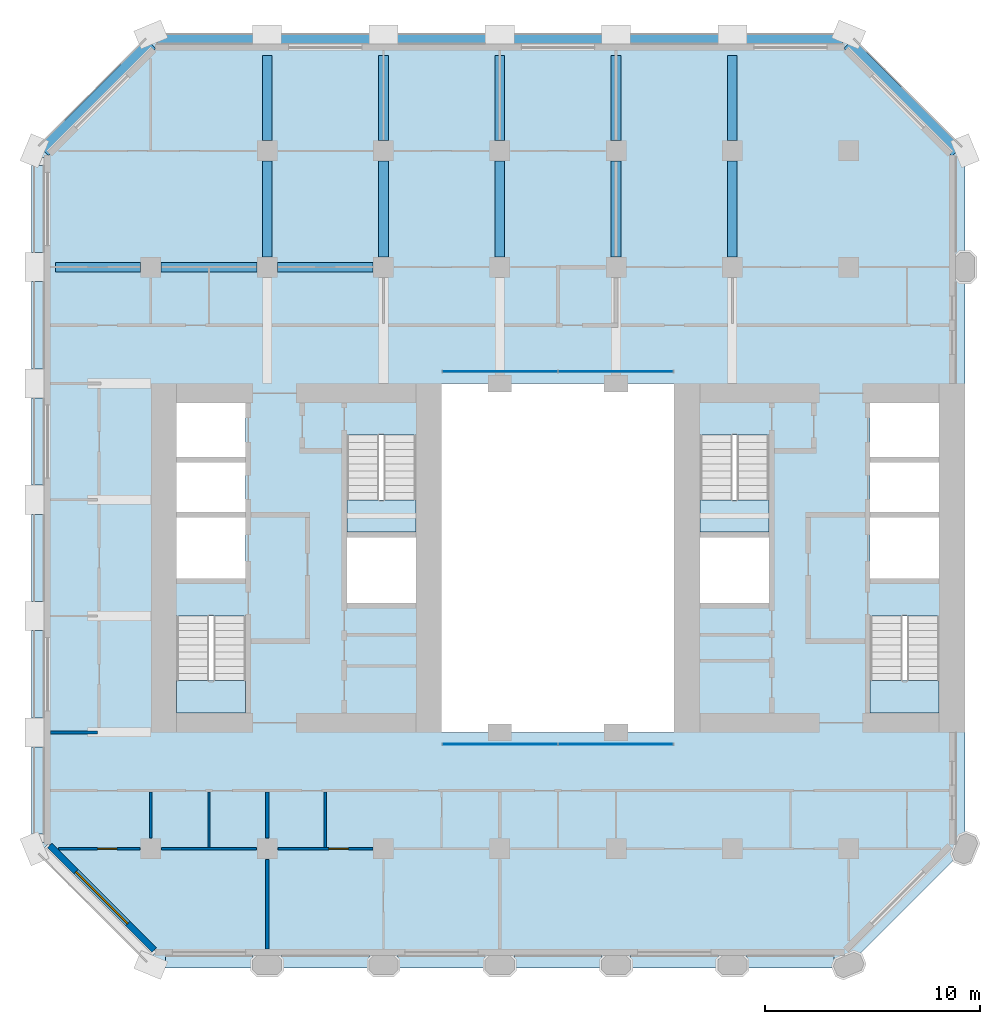
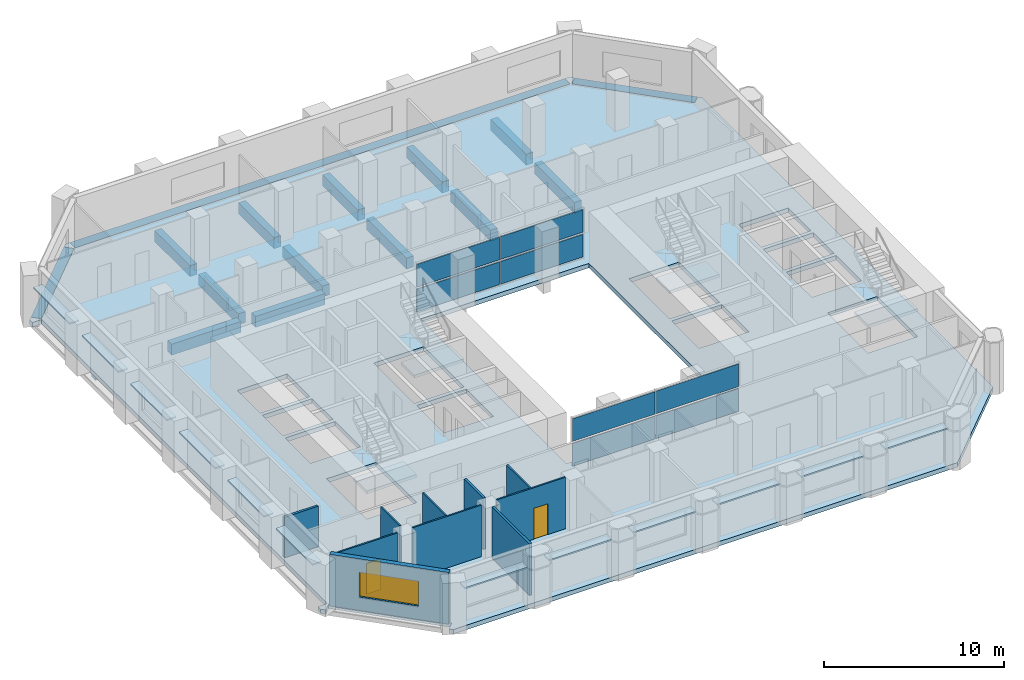
# One storey, part 5 of 13: 20 plates, 16 beams, 10 walls, 5 slabs, 2 doors, 1 window, 3 openings, 6 elements without a shape of their own.
"""IFC4 building model written with IfcOpenShell, lengths in metres."""

from ifc_helpers import new_model, si_unit, direction, frame, frame_2d, origin, origin_2d, place, context, subcontext, project, spatial, polyline, rectangle, outline, extrude, material, layer, layer_set, material_profile, profile_set, type_object, element, fill, aggregate, save


model = new_model("IFC4")

# Units and contexts
model_context = context("Model", 3, precision=1e-05, world=origin(), true_north=direction((0.0, 1.0)))
body_context = subcontext(model_context, "Body", "Model", "MODEL_VIEW")
ifc_project = project(units=[si_unit("LENGTHUNIT", "METRE"), si_unit("AREAUNIT", "SQUARE_METRE"), si_unit("VOLUMEUNIT", "CUBIC_METRE"), si_unit("PLANEANGLEUNIT", "RADIAN"), si_unit("MASSUNIT", "GRAM", prefix="KILO")], contexts=[model_context])

# Site, building, storey
site_placement = place(None, origin())
site = spatial("IfcSite", under=ifc_project, at=site_placement, CompositionType="ELEMENT")
building_placement = place(site_placement, origin())
building = spatial("IfcBuilding", under=site, at=building_placement, Name="Tabaq Tower and Sports Hall", CompositionType="ELEMENT")
storey_placement = place(building_placement, frame((0.0, 0.0, 110.60009765625)))
storey = spatial("IfcBuildingStorey", under=building, at=storey_placement, Name="L26", CompositionType="ELEMENT", Elevation=110.60009765625)

# Beams
ifc_material_1 = material(Name="Concrete C40/50", Category="concrete")
ifc_material_profile_1 = material_profile(ifc_material_1, rectangle(XDim=0.449951171875, YDim=0.75, at=origin_2d()), Name="CB 450x750")
ifc_profile_set_1 = profile_set([ifc_material_profile_1], Name="Concrete C40/50")
beam_type_1 = type_object("IfcBeamType", Name="PT CANTILEVER BEAM CB 450x750 C40/50", PredefinedType="BEAM", material=ifc_profile_set_1)
beam_1_placement = place(storey_placement, frame((0.97509765625, 37.800048828125, -0.675048828125), z_axis=(1.0, 0.0, 0.0), x_axis=(0.0, 1.0, 0.0)))
element("IfcBeam", 1, at=beam_1_placement, inside=storey, type_object=beam_type_1, Name="Cantilever Beam L26 W7 span 1", PredefinedType="BEAM", context=body_context, shape_type="SweptSolid", body=[
    extrude(rectangle(XDim=0.449951171875, YDim=0.75, at=origin_2d()), origin(), (0.0, 0.0, 1.0), 3.949951171875),
])
beam_2_placement = place(storey_placement, frame((5.875, 37.800048828125, -0.675048828125), z_axis=(1.0, 0.0, 0.0), x_axis=(0.0, 1.0, 0.0)))
element("IfcBeam", 2, at=beam_2_placement, inside=storey, type_object=beam_type_1, Name="Cantilever Beam L26 W7 span 2", PredefinedType="BEAM", context=body_context, shape_type="SweptSolid", body=[
    extrude(rectangle(XDim=0.449951171875, YDim=0.75, at=origin_2d()), origin(), (0.0, 0.0, 1.0), 4.449951171875),
])
beam_3_placement = place(storey_placement, frame((11.27490234375, 37.800048828125, -0.675048828125), z_axis=(1.0, 0.0, 0.0), x_axis=(0.0, 1.0, 0.0)))
element("IfcBeam", 3, at=beam_3_placement, inside=storey, type_object=beam_type_1, Name="Cantilever Beam L26 W7 span 3", PredefinedType="BEAM", context=body_context, shape_type="SweptSolid", body=[
    extrude(rectangle(XDim=0.449951171875, YDim=0.75, at=origin_2d()), origin(), (0.0, 0.0, 1.0), 4.4501953125),
])
beam_4_placement = place(storey_placement, frame((10.800048828125, 47.625, -0.675048828125), z_axis=(0.0, -1.0, 0.0), x_axis=(1.0, 0.0, 0.0)))
element("IfcBeam", 4, at=beam_4_placement, inside=storey, type_object=beam_type_1, Name="Cantilever Beam L26 N2 span 1", PredefinedType="BEAM", context=body_context, shape_type="SweptSolid", body=[
    extrude(rectangle(XDim=0.449951171875, YDim=0.75, at=origin_2d()), origin(), (0.0, 0.0, 1.0), 3.949951171875),
])
beam_5_placement = place(storey_placement, frame((10.800048828125, 42.72509765625, -0.675048828125), z_axis=(0.0, -1.0, 0.0), x_axis=(1.0, 0.0, 0.0)))
element("IfcBeam", 5, at=beam_5_placement, inside=storey, type_object=beam_type_1, Name="Cantilever Beam L26 N2 span 2", PredefinedType="BEAM", context=body_context, shape_type="SweptSolid", body=[
    extrude(rectangle(XDim=0.449951171875, YDim=0.75, at=origin_2d()), origin(), (0.0, 0.0, 1.0), 4.4501953125),
])
beam_6_placement = place(storey_placement, frame((16.199951171875, 47.625, -0.675048828125), z_axis=(0.0, -1.0, 0.0), x_axis=(1.0, 0.0, 0.0)))
element("IfcBeam", 6, at=beam_6_placement, inside=storey, type_object=beam_type_1, Name="Cantilever Beam L26 N3 span 1", PredefinedType="BEAM", context=body_context, shape_type="SweptSolid", body=[
    extrude(rectangle(XDim=0.449951171875, YDim=0.75, at=origin_2d()), origin(), (0.0, 0.0, 1.0), 3.949951171875),
])
beam_7_placement = place(storey_placement, frame((16.199951171875, 42.72509765625, -0.675048828125), z_axis=(0.0, -1.0, 0.0), x_axis=(1.0, 0.0, 0.0)))
element("IfcBeam", 7, at=beam_7_placement, inside=storey, type_object=beam_type_1, Name="Cantilever Beam L26 N3 span 2", PredefinedType="BEAM", context=body_context, shape_type="SweptSolid", body=[
    extrude(rectangle(XDim=0.449951171875, YDim=0.75, at=origin_2d()), origin(), (0.0, 0.0, 1.0), 4.4501953125),
])
beam_8_placement = place(storey_placement, frame((21.60009765625, 47.625, -0.675048828125), z_axis=(0.0, -1.0, 0.0), x_axis=(1.0, 0.0, 0.0)))
element("IfcBeam", 8, at=beam_8_placement, inside=storey, type_object=beam_type_1, Name="Cantilever Beam L26 N4 span 1", PredefinedType="BEAM", context=body_context, shape_type="SweptSolid", body=[
    extrude(rectangle(XDim=0.449951171875, YDim=0.75, at=origin_2d()), origin(), (0.0, 0.0, 1.0), 3.949951171875),
])
beam_9_placement = place(storey_placement, frame((21.60009765625, 42.72509765625, -0.675048828125), z_axis=(0.0, -1.0, 0.0), x_axis=(1.0, 0.0, 0.0)))
element("IfcBeam", 9, at=beam_9_placement, inside=storey, type_object=beam_type_1, Name="Cantilever Beam L26 N4 span 2", PredefinedType="BEAM", context=body_context, shape_type="SweptSolid", body=[
    extrude(rectangle(XDim=0.449951171875, YDim=0.75, at=origin_2d()), origin(), (0.0, 0.0, 1.0), 4.4501953125),
])
beam_10_placement = place(storey_placement, frame((27.0, 47.625, -0.675048828125), z_axis=(0.0, -1.0, 0.0), x_axis=(1.0, 0.0, 0.0)))
element("IfcBeam", 10, at=beam_10_placement, inside=storey, type_object=beam_type_1, Name="Cantilever Beam L26 N5 span 1", PredefinedType="BEAM", context=body_context, shape_type="SweptSolid", body=[
    extrude(rectangle(XDim=0.449951171875, YDim=0.75, at=origin_2d()), origin(), (0.0, 0.0, 1.0), 3.949951171875),
])
beam_11_placement = place(storey_placement, frame((27.0, 42.72509765625, -0.675048828125), z_axis=(0.0, -1.0, 0.0), x_axis=(1.0, 0.0, 0.0)))
element("IfcBeam", 11, at=beam_11_placement, inside=storey, type_object=beam_type_1, Name="Cantilever Beam L26 N5 span 2", PredefinedType="BEAM", context=body_context, shape_type="SweptSolid", body=[
    extrude(rectangle(XDim=0.449951171875, YDim=0.75, at=origin_2d()), origin(), (0.0, 0.0, 1.0), 4.4501953125),
])
beam_12_placement = place(storey_placement, frame((32.39990234375, 47.625, -0.675048828125), z_axis=(0.0, -1.0, 0.0), x_axis=(1.0, 0.0, 0.0)))
element("IfcBeam", 12, at=beam_12_placement, inside=storey, type_object=beam_type_1, Name="Cantilever Beam L26 N6 span 1", PredefinedType="BEAM", context=body_context, shape_type="SweptSolid", body=[
    extrude(rectangle(XDim=0.449951171875, YDim=0.75, at=origin_2d()), origin(), (0.0, 0.0, 1.0), 3.949951171875),
])
beam_13_placement = place(storey_placement, frame((32.39990234375, 42.72509765625, -0.675048828125), z_axis=(0.0, -1.0, 0.0), x_axis=(1.0, 0.0, 0.0)))
element("IfcBeam", 13, at=beam_13_placement, inside=storey, type_object=beam_type_1, Name="Cantilever Beam L26 N6 span 2", PredefinedType="BEAM", context=body_context, shape_type="SweptSolid", body=[
    extrude(rectangle(XDim=0.449951171875, YDim=0.75, at=origin_2d()), origin(), (0.0, 0.0, 1.0), 4.4501953125),
])
ifc_material_2 = material(Name="Concrete C40/50", Category="concrete")
ifc_material_profile_2 = material_profile(ifc_material_2, rectangle(XDim=0.60009765625, YDim=0.300048828125, at=origin_2d()), Name="EB 600x300")
ifc_profile_set_2 = profile_set([ifc_material_profile_2], Name="Concrete C40/50")
beam_type_2 = type_object("IfcBeamType", Name="PT EDGE BEAM EB 600x300 C40/50", PredefinedType="SPANDREL", material=ifc_profile_set_2)
beam_14_placement = place(storey_placement, frame((42.81103515625, 43.16455078125, -0.150146484375), z_axis=(-0.707089559252, 0.707124002701, 0.0), x_axis=(-0.707124002701, -0.707089559252, 0.0)))
element("IfcBeam", 14, at=beam_14_placement, inside=storey, type_object=beam_type_2, Name="Edge Beam L26 1", PredefinedType="SPANDREL", context=body_context, shape_type="SweptSolid", body=[
    extrude(rectangle(XDim=0.60009765625, YDim=0.300048828125, at=origin_2d()), origin(), (0.0, 0.0, 1.0), 7.088134765625),
])
beam_15_placement = place(storey_placement, frame((37.50146484375, 48.300048828125, -0.150146484375), z_axis=(-1.0, 0.0, 0.0), x_axis=(0.0, -1.0, 0.0)))
element("IfcBeam", 15, at=beam_15_placement, inside=storey, type_object=beam_type_2, Name="Edge Beam L26 2", PredefinedType="SPANDREL", context=body_context, shape_type="SweptSolid", body=[
    extrude(rectangle(XDim=0.60009765625, YDim=0.300048828125, at=origin_2d()), origin(), (0.0, 0.0, 1.0), 31.802978515625),
])
beam_16_placement = place(storey_placement, frame((5.401123046875, 48.1767578125, -0.150146484375), z_axis=(-0.707106781187, -0.707106781187, 0.0), x_axis=(0.707106781187, -0.707106781187, 0.0)))
element("IfcBeam", 16, at=beam_16_placement, inside=storey, type_object=beam_type_2, Name="Edge Beam L26 3", PredefinedType="SPANDREL", context=body_context, shape_type="SweptSolid", body=[
    extrude(rectangle(XDim=0.60009765625, YDim=0.300048828125, at=origin_2d()), origin(), (0.0, 0.0, 1.0), 7.03955078125),
])

# Curtain wall, plates
ifc_material_3 = material(Name="Aluminium alloy 6063-T6 framed glazing", Category="aluminium")
curtain_wall_type = type_object("IfcCurtainWallType", Name="CW1 curtain wall", PredefinedType="USERDEFINED", material=ifc_material_3)
curtain_wall_1_placement = place(storey_placement, origin())
curtain_wall_1 = element("IfcCurtainWall", 17, at=curtain_wall_1_placement, inside=storey, type_object=curtain_wall_type, Name="Atrium glazing L26 S", ObjectType="ATRIUM ENCLOSURE", PredefinedType="USERDEFINED")
ifc_material_4 = material(Name="Clear low-emissivity glass 28 mm", Category="glass")
ifc_layer_1 = layer(ifc_material_4, 0.028076171875)
ifc_layer_set_1 = layer_set([ifc_layer_1], Name="CW1 glass panel 28")
plate_type_1 = type_object("IfcPlateType", Name="CW1 glass panel 28", PredefinedType="CURTAIN_PANEL", material=ifc_layer_set_1)
plate_1_placement = place(storey_placement, frame((21.614990234375, 15.64990234375, 0.139892578125), z_axis=(0.0, 0.0, 1.0), x_axis=(1.0, 0.0, 0.0)))
plate_1 = element("IfcPlate", 18, at=plate_1_placement, type_object=plate_type_1, Name="CW1 panel 1.1", PredefinedType="CURTAIN_PANEL", context=body_context, shape_type="SweptSolid", body=[
    extrude(rectangle(XDim=5.31005859375, YDim=0.028076171875, at=origin_2d()), origin(), (0.0, 0.0, 1.0), 1.5400390625),
])
plate_2_placement = place(storey_placement, frame((21.614990234375, 15.64990234375, 1.81982421875), z_axis=(0.0, 0.0, 1.0), x_axis=(1.0, 0.0, 0.0)))
plate_2 = element("IfcPlate", 19, at=plate_2_placement, type_object=plate_type_1, Name="CW1 panel 1.2", PredefinedType="CURTAIN_PANEL", context=body_context, shape_type="SweptSolid", body=[
    extrude(rectangle(XDim=5.31005859375, YDim=0.028076171875, at=origin_2d()), origin(), (0.0, 0.0, 1.0), 1.5400390625),
])
plate_3_placement = place(storey_placement, frame((26.985107421875, 15.64990234375, 0.139892578125), z_axis=(0.0, 0.0, 1.0), x_axis=(1.0, 0.0, 0.0)))
plate_3 = element("IfcPlate", 20, at=plate_3_placement, type_object=plate_type_1, Name="CW1 panel 2.1", PredefinedType="CURTAIN_PANEL", context=body_context, shape_type="SweptSolid", body=[
    extrude(rectangle(XDim=5.31005859375, YDim=0.028076171875, at=origin_2d()), origin(), (0.0, 0.0, 1.0), 1.5400390625),
])
plate_4_placement = place(storey_placement, frame((26.985107421875, 15.64990234375, 1.81982421875), z_axis=(0.0, 0.0, 1.0), x_axis=(1.0, 0.0, 0.0)))
plate_4 = element("IfcPlate", 21, at=plate_4_placement, type_object=plate_type_1, Name="CW1 panel 2.2", PredefinedType="CURTAIN_PANEL", context=body_context, shape_type="SweptSolid", body=[
    extrude(rectangle(XDim=5.31005859375, YDim=0.028076171875, at=origin_2d()), origin(), (0.0, 0.0, 1.0), 1.5400390625),
])
aggregate(curtain_wall_1, [plate_1, plate_2, plate_3, plate_4])

curtain_wall_2_placement = place(storey_placement, origin())
curtain_wall_2 = element("IfcCurtainWall", 22, at=curtain_wall_2_placement, inside=storey, type_object=curtain_wall_type, Name="Atrium glazing L26 N", ObjectType="ATRIUM ENCLOSURE", PredefinedType="USERDEFINED")
plate_5_placement = place(storey_placement, frame((21.614990234375, 32.949951171875, 0.139892578125), z_axis=(0.0, 0.0, 1.0), x_axis=(1.0, 0.0, 0.0)))
plate_5 = element("IfcPlate", 23, at=plate_5_placement, type_object=plate_type_1, Name="CW1 panel 1.1", PredefinedType="CURTAIN_PANEL", context=body_context, shape_type="SweptSolid", body=[
    extrude(rectangle(XDim=5.31005859375, YDim=0.028076171875, at=origin_2d()), origin(), (0.0, 0.0, 1.0), 1.5400390625),
])
plate_6_placement = place(storey_placement, frame((21.614990234375, 32.949951171875, 1.81982421875), z_axis=(0.0, 0.0, 1.0), x_axis=(1.0, 0.0, 0.0)))
plate_6 = element("IfcPlate", 24, at=plate_6_placement, type_object=plate_type_1, Name="CW1 panel 1.2", PredefinedType="CURTAIN_PANEL", context=body_context, shape_type="SweptSolid", body=[
    extrude(rectangle(XDim=5.31005859375, YDim=0.028076171875, at=origin_2d()), origin(), (0.0, 0.0, 1.0), 1.5400390625),
])
plate_7_placement = place(storey_placement, frame((26.985107421875, 32.949951171875, 0.139892578125), z_axis=(0.0, 0.0, 1.0), x_axis=(1.0, 0.0, 0.0)))
plate_7 = element("IfcPlate", 25, at=plate_7_placement, type_object=plate_type_1, Name="CW1 panel 2.1", PredefinedType="CURTAIN_PANEL", context=body_context, shape_type="SweptSolid", body=[
    extrude(rectangle(XDim=5.31005859375, YDim=0.028076171875, at=origin_2d()), origin(), (0.0, 0.0, 1.0), 1.5400390625),
])
plate_8_placement = place(storey_placement, frame((26.985107421875, 32.949951171875, 1.81982421875), z_axis=(0.0, 0.0, 1.0), x_axis=(1.0, 0.0, 0.0)))
plate_8 = element("IfcPlate", 26, at=plate_8_placement, type_object=plate_type_1, Name="CW1 panel 2.2", PredefinedType="CURTAIN_PANEL", context=body_context, shape_type="SweptSolid", body=[
    extrude(rectangle(XDim=5.31005859375, YDim=0.028076171875, at=origin_2d()), origin(), (0.0, 0.0, 1.0), 1.5400390625),
])
aggregate(curtain_wall_2, [plate_5, plate_6, plate_7, plate_8])

# Stair, slab
ifc_material_5 = material(Name="Concrete C40/50", Category="concrete")
stair_type = type_object("IfcStairType", Name="Exit stair", PredefinedType="HALF_TURN_STAIR", material=ifc_material_5)
stair_1_placement = place(storey_placement, origin())
stair_1 = element("IfcStair", 27, at=stair_1_placement, inside=storey, type_object=stair_type, Name="L26 Exit stair ST1", PredefinedType="HALF_TURN_STAIR")
ifc_material_6 = material(Name="Concrete C40/50", Category="concrete")
ifc_layer_2 = layer(ifc_material_6, 0.199951171875)
ifc_layer_set_2 = layer_set([ifc_layer_2], Name="Exit stair landing")
slab_type_1 = type_object("IfcSlabType", Name="Exit stair landing", PredefinedType="LANDING", material=ifc_layer_set_2)
slab_1_placement = place(storey_placement, frame((0.0, 0.0, 1.699951171875)))
slab_1 = element("IfcSlab", 28, at=slab_1_placement, type_object=slab_type_1, Name="ST1 landing 1", PredefinedType="LANDING", context=body_context, shape_type="SweptSolid", body=[
    extrude(outline(polyline([(6.60009765625, 18.60009765625), (6.60009765625, 17.10009765625), (9.800048828125, 17.10009765625), (9.800048828125, 18.60009765625), (6.60009765625, 18.60009765625)])), origin(), (0.0, 0.0, 1.0), 0.199951171875),
])
aggregate(stair_1, [slab_1])

stair_2_placement = place(storey_placement, origin())
stair_2 = element("IfcStair", 29, at=stair_2_placement, inside=storey, type_object=stair_type, Name="L26 Exit stair ST2", PredefinedType="HALF_TURN_STAIR")
slab_2_placement = place(storey_placement, frame((0.0, 0.0, 1.699951171875)))
slab_2 = element("IfcSlab", 30, at=slab_2_placement, type_object=slab_type_1, Name="ST2 landing 1", PredefinedType="LANDING", context=body_context, shape_type="SweptSolid", body=[
    extrude(outline(polyline([(14.5, 27.0), (14.5, 25.5), (17.699951171875, 25.5), (17.699951171875, 27.0), (14.5, 27.0)])), origin(), (0.0, 0.0, 1.0), 0.199951171875),
])
aggregate(stair_2, [slab_2])

stair_3_placement = place(storey_placement, origin())
stair_3 = element("IfcStair", 31, at=stair_3_placement, inside=storey, type_object=stair_type, Name="L26 Exit stair ST3", PredefinedType="HALF_TURN_STAIR")
slab_3_placement = place(storey_placement, frame((0.0, 0.0, 1.699951171875)))
slab_3 = element("IfcSlab", 32, at=slab_3_placement, type_object=slab_type_1, Name="ST3 landing 1", PredefinedType="LANDING", context=body_context, shape_type="SweptSolid", body=[
    extrude(outline(polyline([(38.800048828125, 18.60009765625), (38.800048828125, 17.10009765625), (42.0, 17.10009765625), (42.0, 18.60009765625), (38.800048828125, 18.60009765625)])), origin(), (0.0, 0.0, 1.0), 0.199951171875),
])
aggregate(stair_3, [slab_3])

stair_4_placement = place(storey_placement, origin())
stair_4 = element("IfcStair", 33, at=stair_4_placement, inside=storey, type_object=stair_type, Name="L26 Exit stair ST4", PredefinedType="HALF_TURN_STAIR")
slab_4_placement = place(storey_placement, frame((0.0, 0.0, 1.699951171875)))
slab_4 = element("IfcSlab", 34, at=slab_4_placement, type_object=slab_type_1, Name="ST4 landing 1", PredefinedType="LANDING", context=body_context, shape_type="SweptSolid", body=[
    extrude(outline(polyline([(30.89990234375, 27.0), (30.89990234375, 25.5), (34.10009765625, 25.5), (34.10009765625, 27.0), (30.89990234375, 27.0)])), origin(), (0.0, 0.0, 1.0), 0.199951171875),
])
aggregate(stair_4, [slab_4])

# Slab
ifc_material_7 = material(Name="Concrete C40/50", Category="concrete")
ifc_layer_3 = layer(ifc_material_7, 0.300048828125)
ifc_layer_set_3 = layer_set([ifc_layer_3], Name="PT FLOOR SLAB 300 C40/50")
slab_type_2 = type_object("IfcSlabType", Name="PT FLOOR SLAB 300 C40/50", PredefinedType="FLOOR", material=ifc_layer_set_3)
slab_5_placement = place(storey_placement, frame((0.0, 0.0, -0.300048828125)))
element("IfcSlab", 35, at=slab_5_placement, inside=storey, type_object=slab_type_2, Name="Floor Slab L26", PredefinedType="FLOOR", context=body_context, shape_type="SweptSolid", body=[
    extrude(outline(polyline([(0.0, 11.0986328125), (0.0, 10.800048828125), (0.211181640625, 10.5888671875), (0.63525390625, 11.01318359375), (5.6474609375, 6.0009765625), (5.57666015625, 5.930419921875), (5.22314453125, 5.57666015625), (5.39990234375, 5.39990234375), (37.800048828125, 5.39990234375), (43.199951171875, 10.800048828125), (43.199951171875, 43.199951171875), (43.023193359375, 43.376708984375), (42.669677734375, 43.023193359375), (42.598876953125, 42.952392578125), (37.5869140625, 47.964599609375), (37.657470703125, 48.035400390625), (38.010986328125, 48.388916015625), (37.800048828125, 48.60009765625), (37.50146484375, 48.60009765625), (37.50146484375, 48.10009765625), (37.50146484375, 48.0), (5.698486328125, 48.0), (5.698486328125, 48.10009765625), (5.698486328125, 48.60009765625), (5.39990234375, 48.60009765625), (5.18896484375, 48.388916015625), (5.54248046875, 48.035400390625), (5.61328125, 47.964599609375), (0.63525390625, 42.98681640625), (0.211181640625, 43.4111328125), (0.0, 43.199951171875), (0.0, 42.9013671875), (0.5, 42.9013671875), (0.60009765625, 42.9013671875), (0.60009765625, 11.0986328125), (0.5, 11.0986328125), (0.0, 11.0986328125)]), holes=[polyline([(6.60009765625, 21.599365234375), (9.800048828125, 21.599365234375), (9.800048828125, 17.10009765625), (6.60009765625, 17.10009765625), (6.60009765625, 21.599365234375)]), polyline([(17.699951171875, 25.25), (17.699951171875, 22.199951171875), (14.5, 22.199951171875), (14.5, 25.25), (17.699951171875, 25.25)]), polyline([(18.89990234375, 32.39990234375), (29.699951171875, 32.39990234375), (29.699951171875, 16.199951171875), (18.89990234375, 16.199951171875), (18.89990234375, 32.39990234375)]), polyline([(6.60009765625, 26.175048828125), (9.800048828125, 26.175048828125), (9.800048828125, 23.35009765625), (6.60009765625, 23.35009765625), (6.60009765625, 26.175048828125)]), polyline([(9.800048828125, 28.72509765625), (9.800048828125, 26.425048828125), (6.60009765625, 26.425048828125), (6.60009765625, 28.72509765625), (9.800048828125, 28.72509765625)]), polyline([(17.699951171875, 29.99951171875), (17.699951171875, 25.5), (14.5, 25.5), (14.5, 29.99951171875), (17.699951171875, 29.99951171875)]), polyline([(6.60009765625, 31.5), (9.800048828125, 31.5), (9.800048828125, 28.97509765625), (6.60009765625, 28.97509765625), (6.60009765625, 31.5)]), polyline([(42.0, 21.599365234375), (42.0, 17.10009765625), (38.800048828125, 17.10009765625), (38.800048828125, 21.599365234375), (42.0, 21.599365234375)]), polyline([(34.10009765625, 25.25), (34.10009765625, 22.199951171875), (30.89990234375, 22.199951171875), (30.89990234375, 25.25), (34.10009765625, 25.25)]), polyline([(42.0, 26.175048828125), (42.0, 23.35009765625), (38.800048828125, 23.35009765625), (38.800048828125, 26.175048828125), (42.0, 26.175048828125)]), polyline([(42.0, 28.72509765625), (42.0, 26.425048828125), (38.800048828125, 26.425048828125), (38.800048828125, 28.72509765625), (42.0, 28.72509765625)]), polyline([(34.10009765625, 29.99951171875), (34.10009765625, 25.5), (30.89990234375, 25.5), (30.89990234375, 29.99951171875), (34.10009765625, 29.99951171875)]), polyline([(42.0, 31.5), (42.0, 28.97509765625), (38.800048828125, 28.97509765625), (38.800048828125, 31.5), (42.0, 31.5)])]), origin(), (0.0, 0.0, 1.0), 0.300048828125),
])

# Plates
ifc_material_8 = material(Name="White precast concrete C60/75 blade", Category="concrete")
ifc_layer_4 = layer(ifc_material_8, 0.10009765625)
ifc_layer_set_4 = layer_set([ifc_layer_4], Name="White precast concrete C60/75 sunshade 100")
plate_type_2 = type_object("IfcPlateType", Name="White precast concrete C60/75 sunshade 100", PredefinedType="USERDEFINED", material=ifc_layer_set_4)
for number, where, z_axis, x_axis, name in (
    (36, (8.10009765625, 5.550048828125, 2.599853515625), (0.0, 0.0, 1.0), (1.0, 0.0, 0.0), "Sunshade L26 S"),
    (37, (13.5, 5.550048828125, 2.599853515625), (0.0, 0.0, 1.0), (1.0, 0.0, 0.0), "Sunshade L26 S"),
    (38, (18.89990234375, 5.550048828125, 2.599853515625), (0.0, 0.0, 1.0), (1.0, 0.0, 0.0), "Sunshade L26 S"),
    (39, (24.300048828125, 5.550048828125, 2.599853515625), (0.0, 0.0, 1.0), (1.0, 0.0, 0.0), "Sunshade L26 S"),
    (40, (29.699951171875, 5.550048828125, 2.599853515625), (0.0, 0.0, 1.0), (1.0, 0.0, 0.0), "Sunshade L26 S"),
    (41, (35.10009765625, 5.550048828125, 2.599853515625), (0.0, 0.0, 1.0), (1.0, 0.0, 0.0), "Sunshade L26 S"),
    (42, (0.14990234375, 40.5, 2.599853515625), (0.0, 0.0, 1.0), (0.0, -1.0, 0.0), "Sunshade L26 W"),
    (43, (0.14990234375, 35.10009765625, 2.599853515625), (0.0, 0.0, 1.0), (0.0, -1.0, 0.0), "Sunshade L26 W"),
    (44, (0.14990234375, 29.699951171875, 2.599853515625), (0.0, 0.0, 1.0), (0.0, -1.0, 0.0), "Sunshade L26 W"),
    (45, (0.14990234375, 24.300048828125, 2.599853515625), (0.0, 0.0, 1.0), (0.0, -1.0, 0.0), "Sunshade L26 W"),
    (46, (0.14990234375, 18.89990234375, 2.599853515625), (0.0, 0.0, 1.0), (0.0, -1.0, 0.0), "Sunshade L26 W"),
    (47, (0.14990234375, 13.5, 2.599853515625), (0.0, 0.0, 1.0), (0.0, -1.0, 0.0), "Sunshade L26 W"),
):
    element("IfcPlate", number, at=place(storey_placement, frame(where, z_axis=z_axis, x_axis=x_axis)), inside=storey, type_object=plate_type_2, Name=name, ObjectType="SUNSHADE", PredefinedType="USERDEFINED", context=body_context, shape_type="SweptSolid", body=[
        extrude(rectangle(XDim=4.050048828125, YDim=0.60009765625, at=origin_2d()), origin(), (0.0, 0.0, 1.0), 0.10009765625),
    ])

# Wall, opening, door
ifc_material_9 = material(Name="Gypsum board on steel studs", Category="steel")
ifc_layer_5 = layer(ifc_material_9, 0.10009765625)
ifc_layer_set_5 = layer_set([ifc_layer_5], Name="Partition 100 Gypsum board")
wall_type_1 = type_object("IfcWallType", Name="Partition 100 Gypsum board", PredefinedType="PARTITIONING", material=ifc_layer_set_5)
wall_1_placement = place(storey_placement, frame((1.112060546875, 10.800048828125, 0.0), z_axis=(0.0, 0.0, 1.0), x_axis=(1.0, 0.0, 0.0)))
wall_1 = element("IfcWall", 48, at=wall_1_placement, inside=storey, type_object=wall_type_1, Name="Partition wall L26", PredefinedType="PARTITIONING", context=body_context, shape_type="SweptSolid", body=[
    extrude(rectangle(XDim=3.79296875, YDim=0.10009765625, at=frame_2d((1.896484375, 0.0))), origin(), (0.0, 0.0, 1.0), 3.5),
])
opening_1_placement = place(wall_1_placement, frame((1.81298828125, 0.0, 0.0)))
opening_1 = element("IfcOpeningElement", 49, at=opening_1_placement, cuts=wall_1, Name="Opening L26-019", PredefinedType="OPENING", context=body_context, shape_type="SweptSolid", body=[
    extrude(rectangle(XDim=0.89990234375, YDim=2.10009765625, at=frame_2d((0.449951171875, 1.050048828125))), frame((0.0, 0.050048828125, 0.0), z_axis=(0.0, -1.0, 0.0), x_axis=(1.0, 0.0, 0.0)), (0.0, 0.0, 1.0), 0.10009765625),
])
ifc_material_10 = material(Name="Timber leaf in steel frame", Category="steel")
door_type_1 = type_object("IfcDoorType", Name="Internal door 900 right hand", OperationType="SINGLE_SWING_RIGHT", PredefinedType="DOOR", material=ifc_material_10)
door_1_placement = place(opening_1_placement, origin())
door_1 = element("IfcDoor", 50, at=door_1_placement, inside=storey, type_object=door_type_1, Name="Internal door L26-019", OperationType="SINGLE_SWING_RIGHT", OverallHeight=2.10009765625, OverallWidth=0.89990234375, PredefinedType="DOOR", context=body_context, shape_type="SweptSolid", body=[
    extrude(rectangle(XDim=0.89990234375, YDim=2.10009765625, at=frame_2d((0.449951171875, 1.050048828125))), frame((0.0, 0.02490234375, 0.0), z_axis=(0.0, -1.0, 0.0), x_axis=(1.0, 0.0, 0.0)), (0.0, 0.0, 1.0), 0.050048828125),
])
fill(opening_1, door_1)

# Walls
wall_2_placement = place(storey_placement, frame((5.39990234375, 11.294921875, 0.0), z_axis=(0.0, 0.0, 1.0), x_axis=(0.0, 1.0, 0.0)))
element("IfcWall", 51, at=wall_2_placement, inside=storey, type_object=wall_type_1, Name="Partition wall L26", PredefinedType="PARTITIONING", context=body_context, shape_type="SweptSolid", body=[
    extrude(rectangle(XDim=2.130126953125, YDim=0.10009765625, at=frame_2d((1.06494140625, 0.0))), origin(), (0.0, 0.0, 1.0), 3.5),
])
wall_3_placement = place(storey_placement, frame((8.10009765625, 10.85009765625, 0.0), z_axis=(0.0, 0.0, 1.0), x_axis=(0.0, 1.0, 0.0)))
element("IfcWall", 52, at=wall_3_placement, inside=storey, type_object=wall_type_1, Name="Partition wall L26", PredefinedType="PARTITIONING", context=body_context, shape_type="SweptSolid", body=[
    extrude(rectangle(XDim=2.574951171875, YDim=0.10009765625, at=frame_2d((1.28759765625, 0.0))), origin(), (0.0, 0.0, 1.0), 3.5),
])
wall_4_placement = place(storey_placement, frame((5.89501953125, 10.800048828125, 0.0), z_axis=(0.0, 0.0, 1.0), x_axis=(1.0, 0.0, 0.0)))
element("IfcWall", 53, at=wall_4_placement, inside=storey, type_object=wall_type_1, Name="Partition wall L26", PredefinedType="PARTITIONING", context=body_context, shape_type="SweptSolid", body=[
    extrude(rectangle(XDim=4.409912109375, YDim=0.10009765625, at=frame_2d((2.205078125, 0.0))), origin(), (0.0, 0.0, 1.0), 3.5),
])
wall_5_placement = place(storey_placement, frame((13.5, 10.85009765625, 0.0), z_axis=(0.0, 0.0, 1.0), x_axis=(0.0, 1.0, 0.0)))
element("IfcWall", 54, at=wall_5_placement, inside=storey, type_object=wall_type_1, Name="Partition wall L26", PredefinedType="PARTITIONING", context=body_context, shape_type="SweptSolid", body=[
    extrude(rectangle(XDim=2.574951171875, YDim=0.10009765625, at=frame_2d((1.28759765625, 0.0))), origin(), (0.0, 0.0, 1.0), 3.5),
])

# Wall, opening, door
wall_6_placement = place(storey_placement, frame((11.294921875, 10.800048828125, 0.0), z_axis=(0.0, 0.0, 1.0), x_axis=(1.0, 0.0, 0.0)))
wall_6 = element("IfcWall", 55, at=wall_6_placement, inside=storey, type_object=wall_type_1, Name="Partition wall L26", PredefinedType="PARTITIONING", context=body_context, shape_type="SweptSolid", body=[
    extrude(rectangle(XDim=4.41015625, YDim=0.10009765625, at=frame_2d((2.205078125, 0.0))), origin(), (0.0, 0.0, 1.0), 3.5),
])
opening_2_placement = place(wall_6_placement, frame((2.375, 0.0, 0.0)))
opening_2 = element("IfcOpeningElement", 56, at=opening_2_placement, cuts=wall_6, Name="Opening L26-030", PredefinedType="OPENING", context=body_context, shape_type="SweptSolid", body=[
    extrude(rectangle(XDim=0.89990234375, YDim=2.10009765625, at=frame_2d((0.449951171875, 1.050048828125))), frame((0.0, 0.050048828125, 0.0), z_axis=(0.0, -1.0, 0.0), x_axis=(1.0, 0.0, 0.0)), (0.0, 0.0, 1.0), 0.10009765625),
])
ifc_material_11 = material(Name="Timber leaf in steel frame", Category="steel")
door_type_2 = type_object("IfcDoorType", Name="Internal door 900 left hand", OperationType="SINGLE_SWING_LEFT", PredefinedType="DOOR", material=ifc_material_11)
door_2_placement = place(opening_2_placement, origin())
door_2 = element("IfcDoor", 57, at=door_2_placement, inside=storey, type_object=door_type_2, Name="Internal door L26-030", OperationType="SINGLE_SWING_LEFT", OverallHeight=2.10009765625, OverallWidth=0.89990234375, PredefinedType="DOOR", context=body_context, shape_type="SweptSolid", body=[
    extrude(rectangle(XDim=0.89990234375, YDim=2.10009765625, at=frame_2d((0.449951171875, 1.050048828125))), frame((0.0, 0.02490234375, 0.0), z_axis=(0.0, -1.0, 0.0), x_axis=(1.0, 0.0, 0.0)), (0.0, 0.0, 1.0), 0.050048828125),
])
fill(opening_2, door_2)

# Walls
ifc_material_12 = material(Name="Blockwork", Category="masonry")
ifc_layer_6 = layer(ifc_material_12, 0.14990234375)
ifc_layer_set_6 = layer_set([ifc_layer_6], Name="Separating wall 150 Blockwork")
wall_type_2 = type_object("IfcWallType", Name="Separating wall 150 Blockwork", PredefinedType="PARTITIONING", material=ifc_layer_set_6)
wall_7_placement = place(storey_placement, frame((2.925048828125, 16.199951171875, 0.0), z_axis=(0.0, 0.0, 1.0), x_axis=(-1.0, 0.0, 0.0)))
element("IfcWall", 58, at=wall_7_placement, inside=storey, type_object=wall_type_2, Name="Separating wall L26", PredefinedType="PARTITIONING", context=body_context, shape_type="SweptSolid", body=[
    extrude(rectangle(XDim=2.174072265625, YDim=0.14990234375, at=frame_2d((1.0869140625, 0.0))), origin(), (0.0, 0.0, 1.0), 2.75),
])
wall_8_placement = place(storey_placement, frame((10.800048828125, 11.294921875, 0.0), z_axis=(0.0, 0.0, 1.0), x_axis=(0.0, 1.0, 0.0)))
element("IfcWall", 59, at=wall_8_placement, inside=storey, type_object=wall_type_2, Name="Separating wall L26", PredefinedType="PARTITIONING", context=body_context, shape_type="SweptSolid", body=[
    extrude(rectangle(XDim=2.130126953125, YDim=0.14990234375, at=frame_2d((1.06494140625, 0.0))), origin(), (0.0, 0.0, 1.0), 3.5),
])
wall_9_placement = place(storey_placement, frame((10.800048828125, 6.15087890625, 0.0), z_axis=(0.0, 0.0, 1.0), x_axis=(0.0, 1.0, 0.0)))
element("IfcWall", 60, at=wall_9_placement, inside=storey, type_object=wall_type_2, Name="Separating wall L26", PredefinedType="PARTITIONING", context=body_context, shape_type="SweptSolid", body=[
    extrude(rectangle(XDim=4.154052734375, YDim=0.14990234375, at=frame_2d((2.0771484375, 0.0))), origin(), (0.0, 0.0, 1.0), 3.5),
])

# Wall, opening, window
ifc_material_13 = material(Name="White precast concrete C60/75", Category="concrete")
ifc_layer_7 = layer(ifc_material_13, 0.300048828125)
ifc_layer_set_7 = layer_set([ifc_layer_7], Name="White precast concrete C60/75 external wall 300")
wall_type_3 = type_object("IfcWallType", Name="White precast concrete C60/75 external wall 300", PredefinedType="SOLIDWALL", material=ifc_layer_set_7)
wall_10_placement = place(storey_placement, frame((0.698974609375, 10.949462890625, 0.0), z_axis=(0.0, 0.0, 1.0), x_axis=(0.707106781187, -0.707106781187, 0.0)))
wall_10 = element("IfcWall", 61, at=wall_10_placement, inside=storey, type_object=wall_type_3, Name="External Wall L26 SW", PredefinedType="SOLIDWALL", context=body_context, shape_type="SweptSolid", body=[
    extrude(rectangle(XDim=6.85986328125, YDim=0.300048828125, at=frame_2d((3.429931640625, 0.0))), origin(), (0.0, 0.0, 1.0), 3.5),
])
opening_3_placement = place(wall_10_placement, frame((1.729736328125, 0.0, 0.89990234375)))
opening_3 = element("IfcOpeningElement", 62, at=opening_3_placement, cuts=wall_10, Name="Opening W1A", PredefinedType="OPENING", context=body_context, shape_type="SweptSolid", body=[
    extrude(rectangle(XDim=3.39990234375, YDim=1.699951171875, at=frame_2d((1.699951171875, 0.85009765625))), frame((0.0, 0.16015625, 0.0), z_axis=(0.0, -1.0, 0.0), x_axis=(1.0, 0.0, 0.0)), (0.0, 0.0, 1.0), 0.320068359375),
])
ifc_material_14 = material(Name="Aluminium framed clear glazing", Category="aluminium")
window_type = type_object("IfcWindowType", Name="Window W1A", PartitioningType="SINGLE_PANEL", PredefinedType="WINDOW", material=ifc_material_14)
window_placement = place(opening_3_placement, origin())
window = element("IfcWindow", 63, at=window_placement, inside=storey, type_object=window_type, Name="Window W1A L26", OverallHeight=1.699951171875, OverallWidth=3.39990234375, PartitioningType="SINGLE_PANEL", PredefinedType="WINDOW", context=body_context, shape_type="SweptSolid", body=[
    extrude(rectangle(XDim=3.39990234375, YDim=1.699951171875, at=frame_2d((1.699951171875, 0.85009765625))), frame((0.0, 0.030029296875, 0.0), z_axis=(0.0, -1.0, 0.0), x_axis=(1.0, 0.0, 0.0)), (0.0, 0.0, 1.0), 0.06005859375),
])
fill(opening_3, window)

save(model, "model.ifc")
